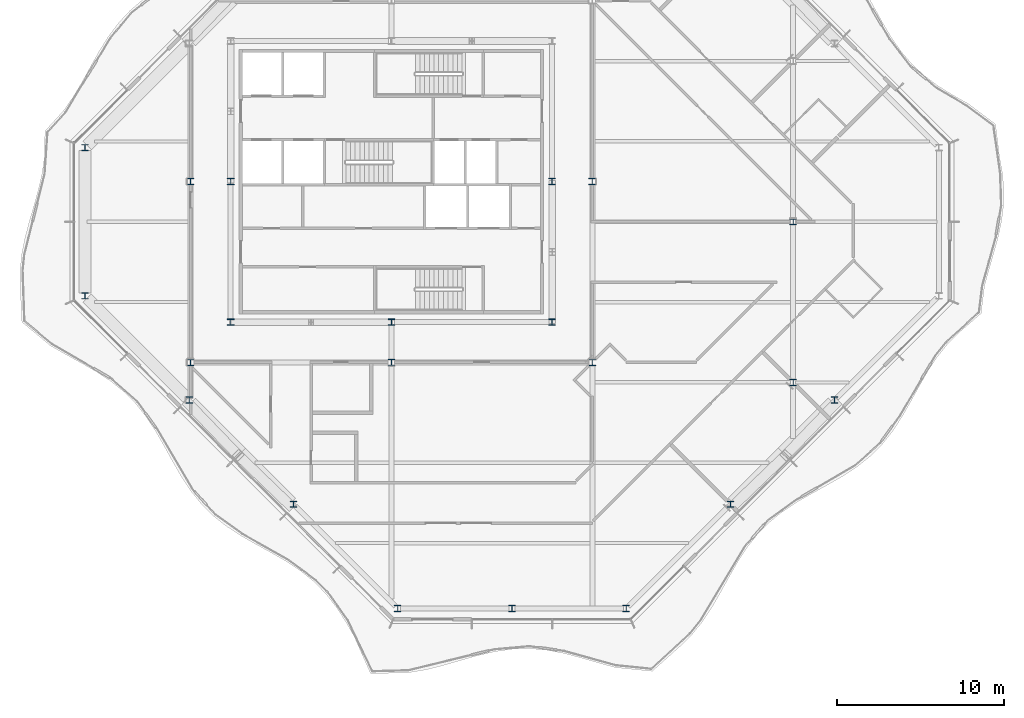
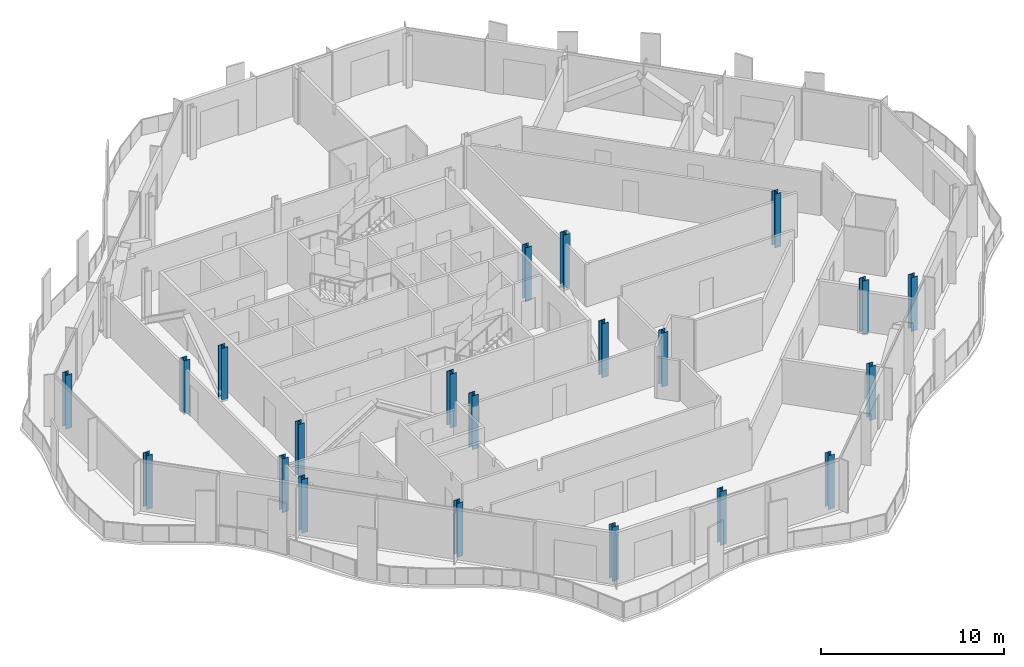
# One storey, part 1 of 16: 21 columns.
"""IFC4 building model written with IfcOpenShell, lengths in metres."""

from ifc_helpers import new_model, si_unit, direction, frame, origin, origin_2d, place, context, subcontext, project, spatial, i_section, extrude, material, material_profile, profile_set, type_object, element, save


model = new_model("IFC4")

# Units and contexts
model_context = context("Model", 3, precision=1e-05, world=origin(), true_north=direction((0.0, 1.0)))
body_context = subcontext(model_context, "Body", "Model", "MODEL_VIEW")
ifc_project = project(units=[si_unit("LENGTHUNIT", "METRE"), si_unit("AREAUNIT", "SQUARE_METRE"), si_unit("VOLUMEUNIT", "CUBIC_METRE"), si_unit("PLANEANGLEUNIT", "RADIAN"), si_unit("MASSUNIT", "GRAM", prefix="KILO")], contexts=[model_context])

# Site, building, storey
site_placement = place(None, origin())
site = spatial("IfcSite", under=ifc_project, at=site_placement, CompositionType="ELEMENT")
building_placement = place(site_placement, origin())
building = spatial("IfcBuilding", under=site, at=building_placement, Name="Cairn Pilgrim Tower", CompositionType="ELEMENT")
storey_placement = place(building_placement, frame((0.0, 0.0, 288.60009765625)))
storey = spatial("IfcBuildingStorey", under=building, at=storey_placement, Name="L74", CompositionType="ELEMENT", Elevation=288.60009765625)

# Columns
ifc_material = material(Name="Structural steel S355J2", Category="steel")
ifc_material_profile_1 = material_profile(ifc_material, i_section(OverallWidth=0.39111328125, OverallDepth=0.367919921875, WebThickness=0.014892578125, FlangeThickness=0.02392578125, FilletRadius=0.014892578125, at=origin_2d()), Name="HD 400x187")
ifc_profile_set_1 = profile_set([ifc_material_profile_1], Name="Structural steel S355J2")
column_type_1 = type_object("IfcColumnType", Name="HD 400x187", PredefinedType="COLUMN", material=ifc_profile_set_1)
for number, where, z_axis, x_axis, name in (
    (1, (7.57275390625, -23.10009765625, -0.150146484375), (0.0, 0.0, 1.0), (1.0, 0.0, 0.0), "PC4-S1"),
    (2, (14.39990234375, -23.10009765625, -0.150146484375), (0.0, 0.0, 1.0), (1.0, 0.0, 0.0), "PC4-S2"),
    (3, (21.227294921875, -23.10009765625, -0.150146484375), (0.0, 0.0, 1.0), (1.0, 0.0, 0.0), "PC4-SE1"),
    (4, (27.451416015625, -16.875732421875, -0.150146484375), (0.0, 0.0, 1.0), (1.0, 0.0, 0.0), "PC4-SE2"),
    (5, (33.67578125, -10.651611328125, -0.150146484375), (0.0, 0.0, 1.0), (1.0, 0.0, 0.0), "PC4-SE3"),
    (6, (-11.10009765625, 4.42724609375, -0.150146484375), (0.0, 0.0, 1.0), (1.0, 0.0, 0.0), "PC4-W1"),
    (7, (-11.10009765625, -4.42724609375, -0.150146484375), (0.0, 0.0, 1.0), (1.0, 0.0, 0.0), "PC4-SW1"),
    (8, (-4.875732421875, -10.651611328125, -0.150146484375), (0.0, 0.0, 1.0), (1.0, 0.0, 0.0), "PC4-SW2"),
    (9, (1.348388671875, -16.875732421875, -0.150146484375), (0.0, 0.0, 1.0), (1.0, 0.0, 0.0), "PC4-SW3"),
):
    element("IfcColumn", number, at=place(storey_placement, frame(where, z_axis=z_axis, x_axis=x_axis)), inside=storey, type_object=column_type_1, Name=name, PredefinedType="COLUMN", context=body_context, shape_type="SweptSolid", body=[
        extrude(i_section(OverallWidth=0.39111328125, OverallDepth=0.367919921875, WebThickness=0.014892578125, FlangeThickness=0.02392578125, FilletRadius=0.014892578125, at=origin_2d()), origin(), (0.0, 0.0, 1.0), 3.60009765625),
    ])
ifc_material_profile_2 = material_profile(ifc_material, i_section(OverallWidth=0.39404296875, OverallDepth=0.375, WebThickness=0.017333984375, FlangeThickness=0.027587890625, FilletRadius=0.014892578125, at=origin_2d()), Name="HD 400x216")
ifc_profile_set_2 = profile_set([ifc_material_profile_2], Name="Structural steel S355J2")
column_type_2 = type_object("IfcColumnType", Name="HD 400x216", PredefinedType="COLUMN", material=ifc_profile_set_2)
for number, where, z_axis, x_axis, name in (
    (10, (-4.800048828125, -8.39990234375, -0.150146484375), (0.0, 0.0, 1.0), (1.0, 0.0, 0.0), "IC-1"),
    (11, (7.199951171875, -8.39990234375, -0.150146484375), (0.0, 0.0, 1.0), (1.0, 0.0, 0.0), "IC-2"),
    (12, (19.199951171875, -8.39990234375, -0.150146484375), (0.0, 0.0, 1.0), (1.0, 0.0, 0.0), "IC-3"),
    (13, (-4.800048828125, 2.39990234375, -0.150146484375), (0.0, 0.0, 1.0), (1.0, 0.0, 0.0), "IC-4"),
    (14, (19.199951171875, 2.39990234375, -0.150146484375), (0.0, 0.0, 1.0), (1.0, 0.0, 0.0), "IC-5"),
    (15, (31.199951171875, -9.60009765625, -0.150146484375), (0.0, 0.0, 1.0), (1.0, 0.0, 0.0), "WC-WE-2"),
    (16, (31.199951171875, 0.0, -0.150146484375), (0.0, 0.0, 1.0), (1.0, 0.0, 0.0), "WC-WE+0"),
):
    element("IfcColumn", number, at=place(storey_placement, frame(where, z_axis=z_axis, x_axis=x_axis)), inside=storey, type_object=column_type_2, Name=name, PredefinedType="COLUMN", context=body_context, shape_type="SweptSolid", body=[
        extrude(i_section(OverallWidth=0.39404296875, OverallDepth=0.375, WebThickness=0.017333984375, FlangeThickness=0.027587890625, FilletRadius=0.014892578125, at=origin_2d()), origin(), (0.0, 0.0, 1.0), 3.60009765625),
    ])
ifc_material_profile_3 = material_profile(ifc_material, i_section(OverallWidth=0.39794921875, OverallDepth=0.386962890625, WebThickness=0.02099609375, FlangeThickness=0.033203125, FilletRadius=0.014892578125, at=origin_2d()), Name="HD 400x262")
ifc_profile_set_3 = profile_set([ifc_material_profile_3], Name="Structural steel S355J2")
column_type_3 = type_object("IfcColumnType", Name="HD 400x262", PredefinedType="COLUMN", material=ifc_profile_set_3)
for number, where, z_axis, x_axis, name in (
    (17, (-2.39990234375, -6.0, -0.150146484375), (0.0, 0.0, 1.0), (1.0, 0.0, 0.0), "KC-1"),
    (18, (7.199951171875, -6.0, -0.150146484375), (0.0, 0.0, 1.0), (1.0, 0.0, 0.0), "KC-2"),
    (19, (16.800048828125, -6.0, -0.150146484375), (0.0, 0.0, 1.0), (1.0, 0.0, 0.0), "KC-3"),
    (20, (-2.39990234375, 2.39990234375, -0.150146484375), (0.0, 0.0, 1.0), (1.0, 0.0, 0.0), "KC-4"),
    (21, (16.800048828125, 2.39990234375, -0.150146484375), (0.0, 0.0, 1.0), (1.0, 0.0, 0.0), "KC-5"),
):
    element("IfcColumn", number, at=place(storey_placement, frame(where, z_axis=z_axis, x_axis=x_axis)), inside=storey, type_object=column_type_3, Name=name, PredefinedType="COLUMN", context=body_context, shape_type="SweptSolid", body=[
        extrude(i_section(OverallWidth=0.39794921875, OverallDepth=0.386962890625, WebThickness=0.02099609375, FlangeThickness=0.033203125, FilletRadius=0.014892578125, at=origin_2d()), origin(), (0.0, 0.0, 1.0), 3.60009765625),
    ])

save(model, "model.ifc")
